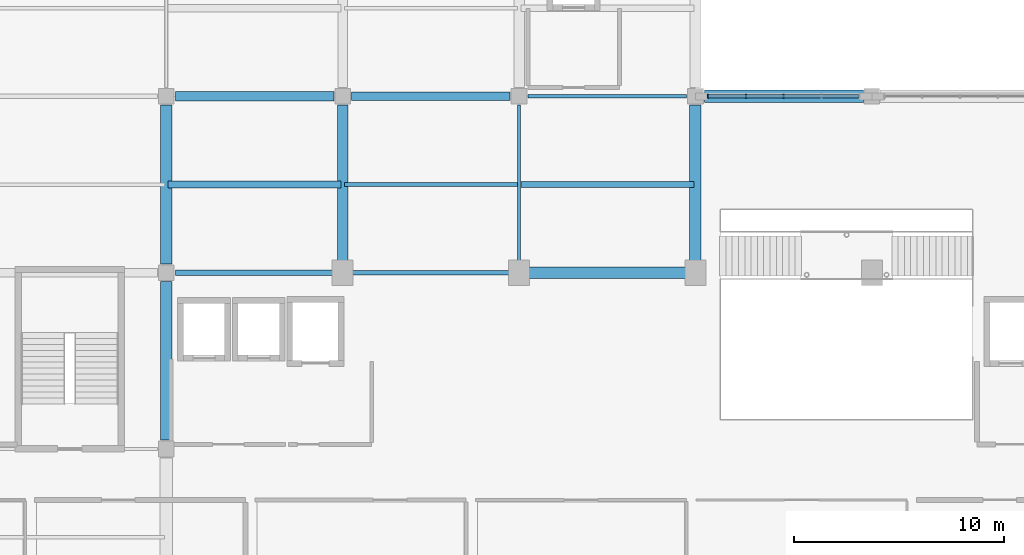
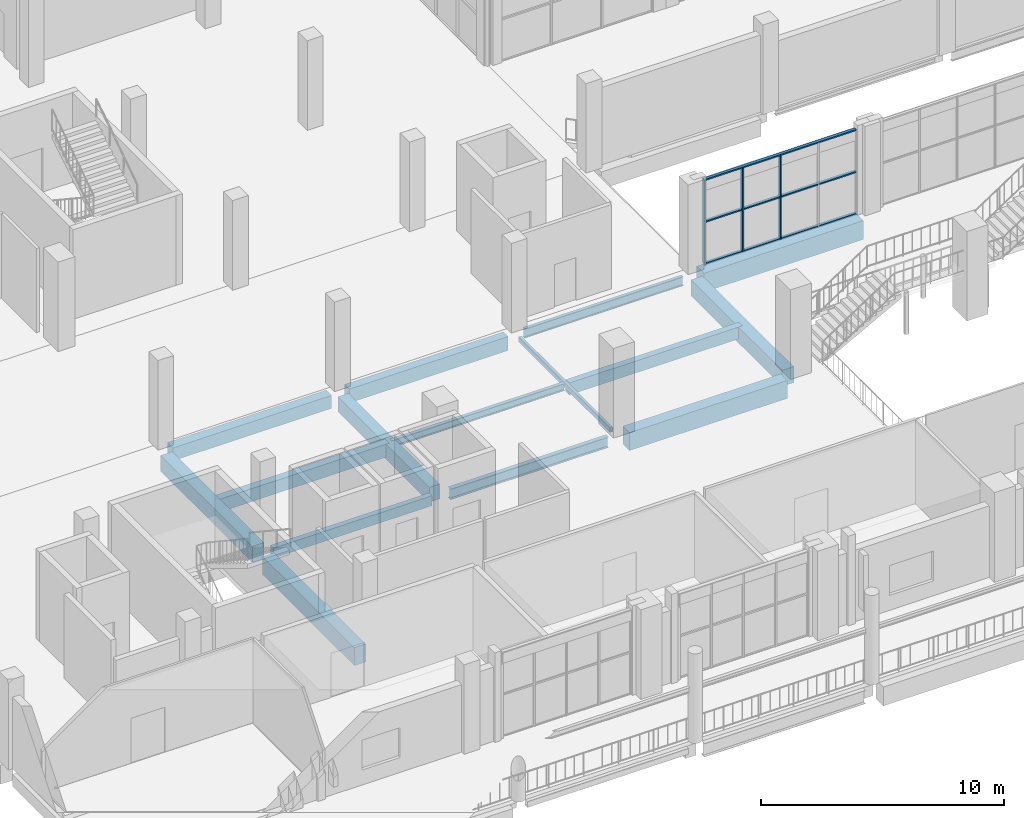
# One storey, part 18 of 75: 15 beams, 6 members, 1 element without a shape of its own.
"""IFC4 building model written with IfcOpenShell, lengths in metres."""

from ifc_helpers import new_model, si_unit, derived_unit, direction, frame, origin, origin_2d, place, context, subcontext, project, spatial, rectangle, hollow_rectangle, i_section, extrude, material, material_profile, profile_set, type_object, element, aggregate, save


model = new_model("IFC4")

# Units and contexts
model_context = context("Model", 3, precision=1e-05, world=origin(), true_north=direction((0.0, 1.0)))
body_context = subcontext(model_context, "Body", "Model", "MODEL_VIEW")
ifc_project = project(units=[si_unit("LENGTHUNIT", "METRE"), si_unit("AREAUNIT", "SQUARE_METRE"), si_unit("VOLUMEUNIT", "CUBIC_METRE"), si_unit("PLANEANGLEUNIT", "RADIAN"), si_unit("MASSUNIT", "GRAM", prefix="KILO"), derived_unit("THERMALTRANSMITTANCEUNIT", [(si_unit("POWERUNIT", "WATT"), 1), (si_unit("LENGTHUNIT", "METRE"), -2), (si_unit("THERMODYNAMICTEMPERATUREUNIT", "KELVIN"), -1)])], contexts=[model_context])

# Site, building, storey
site_placement = place(None, origin())
site = spatial("IfcSite", under=ifc_project, at=site_placement, CompositionType="ELEMENT")
building_placement = place(site_placement, origin())
building = spatial("IfcBuilding", under=site, at=building_placement, Name="Barrovel Congress Hotel", CompositionType="ELEMENT")
storey_placement = place(building_placement, frame((0.0, 0.0, 5.39990234375)))
storey = spatial("IfcBuildingStorey", under=building, at=storey_placement, Name="L01", CompositionType="ELEMENT", Elevation=5.39990234375)

# Beams
ifc_material_1 = material(Name="Concrete C40", Category="concrete")
ifc_material_profile_1 = material_profile(ifc_material_1, rectangle(XDim=0.25, YDim=0.5, at=origin_2d()), Name="RC250x500")
ifc_profile_set_1 = profile_set([ifc_material_profile_1], Name="Concrete C40")
beam_type_1 = type_object("IfcBeamType", Name="BM-RC250x500", PredefinedType="SPANDREL", material=ifc_profile_set_1)
beam_1_placement = place(storey_placement, frame((34.02490234375, 21.0, -0.510009765625), z_axis=(1.0, 0.0, 0.0), x_axis=(0.0, 1.0, 0.0)))
element("IfcBeam", 1, at=beam_1_placement, inside=storey, type_object=beam_type_1, Name="BMX:L01:21.0:33.6-42.0", PredefinedType="SPANDREL", context=body_context, shape_type="SweptSolid", body=[
    extrude(rectangle(XDim=0.25, YDim=0.5, at=origin_2d()), origin(), (0.0, 0.0, 1.0), 7.525146484375),
])
ifc_material_profile_2 = material_profile(ifc_material_1, rectangle(XDim=0.300048828125, YDim=0.60009765625, at=origin_2d()), Name="RC300x600")
ifc_profile_set_2 = profile_set([ifc_material_profile_2], Name="Concrete C40")
beam_type_2 = type_object("IfcBeamType", Name="BM-RC300x600", PredefinedType="JOIST", material=ifc_profile_set_2)
beam_2_placement = place(storey_placement, frame((50.47998046875, 25.199951171875, -0.559814453125), z_axis=(1.0, 0.0, 0.0), x_axis=(0.0, 1.0, 0.0)))
element("IfcBeam", 2, at=beam_2_placement, inside=storey, type_object=beam_type_2, Name="JST:L01:50.4:25.2", PredefinedType="JOIST", context=body_context, shape_type="SweptSolid", body=[
    extrude(rectangle(XDim=0.300048828125, YDim=0.60009765625, at=origin_2d()), origin(), (0.0, 0.0, 1.0), 8.239990234375),
])
ifc_material_profile_3 = material_profile(ifc_material_1, rectangle(XDim=0.35009765625, YDim=0.64990234375, at=origin_2d()), Name="RC350x650")
ifc_profile_set_3 = profile_set([ifc_material_profile_3], Name="Concrete C40")
beam_type_3 = type_object("IfcBeamType", Name="BM-RC350x650", PredefinedType="JOIST", material=ifc_profile_set_3)
beam_3_placement = place(storey_placement, frame((33.679931640625, 25.199951171875, -0.5849609375), z_axis=(1.0, 0.0, 0.0), x_axis=(0.0, 1.0, 0.0)))
element("IfcBeam", 3, at=beam_3_placement, inside=storey, type_object=beam_type_3, Name="JST:L01:33.6:25.2", PredefinedType="JOIST", context=body_context, shape_type="SweptSolid", body=[
    extrude(rectangle(XDim=0.35009765625, YDim=0.64990234375, at=origin_2d()), origin(), (0.0, 0.0, 1.0), 8.239990234375),
])
ifc_material_profile_4 = material_profile(ifc_material_1, rectangle(XDim=0.39990234375, YDim=0.699951171875, at=origin_2d()), Name="RC400x700")
ifc_profile_set_4 = profile_set([ifc_material_profile_4], Name="Concrete C40")
beam_type_4 = type_object("IfcBeamType", Name="BM-RC400x700", PredefinedType="BEAM", material=ifc_profile_set_4)
beam_4_placement = place(storey_placement, frame((42.425048828125, 29.39990234375, -0.60986328125), z_axis=(1.0, 0.0, 0.0), x_axis=(0.0, 1.0, 0.0)))
element("IfcBeam", 4, at=beam_4_placement, inside=storey, type_object=beam_type_4, Name="BMX:L01:29.4:42.0-50.4", PredefinedType="BEAM", context=body_context, shape_type="SweptSolid", body=[
    extrude(rectangle(XDim=0.39990234375, YDim=0.699951171875, at=origin_2d()), origin(), (0.0, 0.0, 1.0), 7.550048828125),
])
ifc_material_profile_5 = material_profile(ifc_material_1, rectangle(XDim=0.449951171875, YDim=0.64990234375, at=origin_2d()), Name="RC450x650")
ifc_profile_set_5 = profile_set([ifc_material_profile_5], Name="Concrete C40")
beam_type_5 = type_object("IfcBeamType", Name="BM-RC450x650", PredefinedType="BEAM", material=ifc_profile_set_5)
beam_5_placement = place(storey_placement, frame((34.02490234375, 29.39990234375, -0.5849609375), z_axis=(1.0, 0.0, 0.0), x_axis=(0.0, 1.0, 0.0)))
element("IfcBeam", 5, at=beam_5_placement, inside=storey, type_object=beam_type_5, Name="BMX:L01:29.4:33.6-42.0", PredefinedType="BEAM", context=body_context, shape_type="SweptSolid", body=[
    extrude(rectangle(XDim=0.449951171875, YDim=0.64990234375, at=origin_2d()), origin(), (0.0, 0.0, 1.0), 7.550048828125),
])
ifc_material_profile_6 = material_profile(ifc_material_1, rectangle(XDim=0.5, YDim=0.75, at=origin_2d()), Name="RC500x750")
ifc_profile_set_6 = profile_set([ifc_material_profile_6], Name="Concrete C40")
beam_type_6 = type_object("IfcBeamType", Name="BM-RC500x750", PredefinedType="BEAM", material=ifc_profile_set_6)
beam_6_placement = place(storey_placement, frame((42.0, 21.449951171875, -0.635009765625), z_axis=(0.0, 1.0, 0.0), x_axis=(-1.0, 0.0, 0.0)))
element("IfcBeam", 6, at=beam_6_placement, inside=storey, type_object=beam_type_6, Name="BMY:L01:42.0:21.0-29.4", PredefinedType="BEAM", context=body_context, shape_type="SweptSolid", body=[
    extrude(rectangle(XDim=0.5, YDim=0.75, at=origin_2d()), origin(), (0.0, 0.0, 1.0), 7.525146484375),
])
ifc_material_profile_7 = material_profile(ifc_material_1, rectangle(XDim=0.550048828125, YDim=0.800048828125, at=origin_2d()), Name="RC550x800")
ifc_profile_set_7 = profile_set([ifc_material_profile_7], Name="Concrete C40")
beam_type_7 = type_object("IfcBeamType", Name="BM-RC550x800", PredefinedType="BEAM", material=ifc_profile_set_7)
beam_7_placement = place(storey_placement, frame((33.60009765625, 21.425048828125, -0.659912109375), z_axis=(0.0, 1.0, 0.0), x_axis=(-1.0, 0.0, 0.0)))
element("IfcBeam", 7, at=beam_7_placement, inside=storey, type_object=beam_type_7, Name="BMY:L01:33.6:21.0-29.4", PredefinedType="BEAM", context=body_context, shape_type="SweptSolid", body=[
    extrude(rectangle(XDim=0.550048828125, YDim=0.800048828125, at=origin_2d()), origin(), (0.0, 0.0, 1.0), 7.550048828125),
])
beam_8_placement = place(storey_placement, frame((58.800048828125, 21.449951171875, -0.659912109375), z_axis=(0.0, 1.0, 0.0), x_axis=(-1.0, 0.0, 0.0)))
element("IfcBeam", 8, at=beam_8_placement, inside=storey, type_object=beam_type_7, Name="BMY:L01:58.8:21.0-29.4", PredefinedType="BEAM", context=body_context, shape_type="SweptSolid", body=[
    extrude(rectangle(XDim=0.550048828125, YDim=0.800048828125, at=origin_2d()), origin(), (0.0, 0.0, 1.0), 7.525146484375),
])
ifc_material_profile_8 = material_profile(ifc_material_1, rectangle(XDim=0.550048828125, YDim=0.89990234375, at=origin_2d()), Name="RC550x900")
ifc_profile_set_8 = profile_set([ifc_material_profile_8], Name="Concrete C40")
beam_type_8 = type_object("IfcBeamType", Name="BM-RC550x900", PredefinedType="BEAM", material=ifc_profile_set_8)
beam_9_placement = place(storey_placement, frame((50.85009765625, 21.0, -0.7099609375), z_axis=(1.0, 0.0, 0.0), x_axis=(0.0, 1.0, 0.0)))
element("IfcBeam", 9, at=beam_9_placement, inside=storey, type_object=beam_type_8, Name="BMX:L01:21.0:50.4-58.8", PredefinedType="BEAM", context=body_context, shape_type="SweptSolid", body=[
    extrude(rectangle(XDim=0.550048828125, YDim=0.89990234375, at=origin_2d()), origin(), (0.0, 0.0, 1.0), 7.5),
])
beam_10_placement = place(storey_placement, frame((33.60009765625, 13.02490234375, -0.7099609375), z_axis=(0.0, 1.0, 0.0), x_axis=(-1.0, 0.0, 0.0)))
element("IfcBeam", 10, at=beam_10_placement, inside=storey, type_object=beam_type_8, Name="BMY:L01:33.6:12.6-21.0", PredefinedType="BEAM", context=body_context, shape_type="SweptSolid", body=[
    extrude(rectangle(XDim=0.550048828125, YDim=0.89990234375, at=origin_2d()), origin(), (0.0, 0.0, 1.0), 7.550048828125),
])
ifc_material_profile_9 = material_profile(ifc_material_1, rectangle(XDim=0.60009765625, YDim=0.949951171875, at=origin_2d()), Name="RC600x950")
ifc_profile_set_9 = profile_set([ifc_material_profile_9], Name="Concrete C40")
beam_type_9 = type_object("IfcBeamType", Name="BM-RC600x950", PredefinedType="BEAM", material=ifc_profile_set_9)
beam_11_placement = place(storey_placement, frame((59.22509765625, 29.39990234375, -0.73486328125), z_axis=(1.0, 0.0, 0.0), x_axis=(0.0, 1.0, 0.0)))
element("IfcBeam", 11, at=beam_11_placement, inside=storey, type_object=beam_type_9, Name="BMX:L01:29.4:58.8-67.2", PredefinedType="BEAM", context=body_context, shape_type="SweptSolid", body=[
    extrude(rectangle(XDim=0.60009765625, YDim=0.949951171875, at=origin_2d()), origin(), (0.0, 0.0, 1.0), 7.574951171875),
])

# Curtain wall, members
ifc_material_2 = material(Name="Anodised Aluminium Alloy 6063-T6", Category="aluminium")
curtain_wall_type = type_object("IfcCurtainWallType", Name="CW-ST-7200x3900", PredefinedType="USERDEFINED", material=ifc_material_2)
curtain_wall_placement = place(storey_placement, origin())
curtain_wall = element("IfcCurtainWall", 12, at=curtain_wall_placement, inside=storey, type_object=curtain_wall_type, Name="CW:L01:CS:07", ObjectType="STICK CURTAIN WALL", PredefinedType="USERDEFINED")
ifc_material_profile_10 = material_profile(ifc_material_2, rectangle(XDim=0.06494140625, YDim=0.18994140625, at=origin_2d()), Name="AL-M65x190")
ifc_profile_set_10 = profile_set([ifc_material_profile_10], Name="Anodised Aluminium Alloy 6063-T6")
member_type_1 = type_object("IfcMemberType", Name="CWM-AL-M65x190", PredefinedType="MULLION", material=ifc_profile_set_10)
member_1_placement = place(storey_placement, frame((63.0, 29.39990234375, 0.0), z_axis=(0.0, 0.0, 1.0), x_axis=(1.0, 0.0, 0.0)))
member_1 = element("IfcMember", 13, at=member_1_placement, type_object=member_type_1, Name="CW:L01:CS:07:M2", PredefinedType="MULLION", context=body_context, shape_type="SweptSolid", body=[
    extrude(rectangle(XDim=0.06494140625, YDim=0.18994140625, at=origin_2d()), origin(), (0.0, 0.0, 1.0), 4.22021484375),
])
member_2_placement = place(storey_placement, frame((61.199951171875, 29.39990234375, 0.0), z_axis=(0.0, 0.0, 1.0), x_axis=(1.0, 0.0, 0.0)))
member_2 = element("IfcMember", 14, at=member_2_placement, type_object=member_type_1, Name="CW:L01:CS:07:M3", PredefinedType="MULLION", context=body_context, shape_type="SweptSolid", body=[
    extrude(rectangle(XDim=0.06494140625, YDim=0.18994140625, at=origin_2d()), origin(), (0.0, 0.0, 1.0), 4.22021484375),
])
member_3_placement = place(storey_placement, frame((59.39990234375, 29.39990234375, 0.0), z_axis=(0.0, 0.0, 1.0), x_axis=(1.0, 0.0, 0.0)))
member_3 = element("IfcMember", 15, at=member_3_placement, type_object=member_type_1, Name="CW:L01:CS:07:M4", PredefinedType="MULLION", context=body_context, shape_type="SweptSolid", body=[
    extrude(rectangle(XDim=0.06494140625, YDim=0.18994140625, at=origin_2d()), origin(), (0.0, 0.0, 1.0), 4.22021484375),
])
ifc_material_profile_11 = material_profile(ifc_material_2, rectangle(XDim=0.14990234375, YDim=0.06494140625, at=origin_2d()), Name="AL-T65x150")
ifc_profile_set_11 = profile_set([ifc_material_profile_11], Name="Anodised Aluminium Alloy 6063-T6")
member_type_2 = type_object("IfcMemberType", Name="CWT-AL-T65x150", PredefinedType="USERDEFINED", material=ifc_profile_set_11)
member_4_placement = place(storey_placement, frame((66.60009765625, 29.39990234375, 0.0), z_axis=(-1.0, 0.0, 0.0), x_axis=(0.0, -1.0, 0.0)))
member_4 = element("IfcMember", 16, at=member_4_placement, type_object=member_type_2, Name="CW:L01:CS:07:T0", ObjectType="TRANSOM", PredefinedType="USERDEFINED", context=body_context, shape_type="SweptSolid", body=[
    extrude(rectangle(XDim=0.14990234375, YDim=0.06494140625, at=origin_2d()), origin(), (0.0, 0.0, 1.0), 7.2001953125),
])
member_5_placement = place(storey_placement, frame((66.60009765625, 29.39990234375, 2.110107421875), z_axis=(-1.0, 0.0, 0.0), x_axis=(0.0, -1.0, 0.0)))
member_5 = element("IfcMember", 17, at=member_5_placement, type_object=member_type_2, Name="CW:L01:CS:07:T1", ObjectType="TRANSOM", PredefinedType="USERDEFINED", context=body_context, shape_type="SweptSolid", body=[
    extrude(rectangle(XDim=0.14990234375, YDim=0.06494140625, at=origin_2d()), origin(), (0.0, 0.0, 1.0), 7.2001953125),
])
member_6_placement = place(storey_placement, frame((66.60009765625, 29.39990234375, 4.22021484375), z_axis=(-1.0, 0.0, 0.0), x_axis=(0.0, -1.0, 0.0)))
member_6 = element("IfcMember", 18, at=member_6_placement, type_object=member_type_2, Name="CW:L01:CS:07:T2", ObjectType="TRANSOM", PredefinedType="USERDEFINED", context=body_context, shape_type="SweptSolid", body=[
    extrude(rectangle(XDim=0.14990234375, YDim=0.06494140625, at=origin_2d()), origin(), (0.0, 0.0, 1.0), 7.2001953125),
])
aggregate(curtain_wall, [member_1, member_2, member_3, member_4, member_5, member_6])

# Beams
ifc_material_3 = material(Name="Steel ASTM A500 Grade C", Category="steel")
ifc_material_profile_12 = material_profile(ifc_material_3, hollow_rectangle(XDim=0.15234375, YDim=0.25390625, WallThickness=0.0087890625, InnerFilletRadius=0.0087890625, OuterFilletRadius=0.017578125, at=origin_2d()), Name="HSS254x152x9.5")
ifc_profile_set_12 = profile_set([ifc_material_profile_12], Name="Steel ASTM A500 Grade C")
beam_type_10 = type_object("IfcBeamType", Name="SBM-HSS254x152x9.5", PredefinedType="SPANDREL", material=ifc_profile_set_12)
beam_12_placement = place(storey_placement, frame((50.39990234375, 21.449951171875, -0.386962890625), z_axis=(0.0, 1.0, 0.0), x_axis=(-1.0, 0.0, 0.0)))
element("IfcBeam", 19, at=beam_12_placement, inside=storey, type_object=beam_type_10, Name="BMY:L01:50.4:21.0-29.4", PredefinedType="SPANDREL", context=body_context, shape_type="SweptSolid", body=[
    extrude(hollow_rectangle(XDim=0.15234375, YDim=0.25390625, WallThickness=0.0087890625, InnerFilletRadius=0.0087890625, OuterFilletRadius=0.017578125, at=origin_2d()), origin(), (0.0, 0.0, 1.0), 7.525146484375),
])
ifc_material_4 = material(Name="Steel ASTM A992 Grade 50", Category="steel")
ifc_material_profile_13 = material_profile(ifc_material_4, i_section(OverallWidth=0.172119140625, OverallDepth=0.35791015625, WebThickness=0.0078125, FlangeThickness=0.01318359375, FilletRadius=0.011962890625, at=origin_2d()), Name="W360x57")
ifc_profile_set_13 = profile_set([ifc_material_profile_13], Name="Steel ASTM A992 Grade 50")
beam_type_11 = type_object("IfcBeamType", Name="SBM-W360x57", PredefinedType="JOIST", material=ifc_profile_set_13)
beam_13_placement = place(storey_placement, frame((42.080078125, 25.199951171875, -0.43896484375), z_axis=(1.0, 0.0, 0.0), x_axis=(0.0, 1.0, 0.0)))
element("IfcBeam", 20, at=beam_13_placement, inside=storey, type_object=beam_type_11, Name="JST:L01:42.0:25.2", PredefinedType="JOIST", context=body_context, shape_type="SweptSolid", body=[
    extrude(i_section(OverallWidth=0.172119140625, OverallDepth=0.35791015625, WebThickness=0.0078125, FlangeThickness=0.01318359375, FilletRadius=0.011962890625, at=origin_2d()), origin(), (0.0, 0.0, 1.0), 8.239990234375),
])
ifc_material_profile_14 = material_profile(ifc_material_4, i_section(OverallWidth=0.154052734375, OverallDepth=0.458984375, WebThickness=0.009033203125, FlangeThickness=0.015380859375, FilletRadius=0.012939453125, at=origin_2d()), Name="W460x68")
ifc_profile_set_14 = profile_set([ifc_material_profile_14], Name="Steel ASTM A992 Grade 50")
beam_type_12 = type_object("IfcBeamType", Name="SBM-W460x68", PredefinedType="BEAM", material=ifc_profile_set_14)
beam_14_placement = place(storey_placement, frame((50.824951171875, 29.39990234375, -0.489501953125), z_axis=(1.0, 0.0, 0.0), x_axis=(0.0, 1.0, 0.0)))
element("IfcBeam", 21, at=beam_14_placement, inside=storey, type_object=beam_type_12, Name="BMX:L01:29.4:50.4-58.8", PredefinedType="BEAM", context=body_context, shape_type="SweptSolid", body=[
    extrude(i_section(OverallWidth=0.154052734375, OverallDepth=0.458984375, WebThickness=0.009033203125, FlangeThickness=0.015380859375, FilletRadius=0.012939453125, at=origin_2d()), origin(), (0.0, 0.0, 1.0), 7.550048828125),
])
ifc_material_profile_15 = material_profile(ifc_material_4, i_section(OverallWidth=0.208984375, OverallDepth=0.529052734375, WebThickness=0.009765625, FlangeThickness=0.013671875, FilletRadius=0.013916015625, at=origin_2d()), Name="W530x74")
ifc_profile_set_15 = profile_set([ifc_material_profile_15], Name="Steel ASTM A992 Grade 50")
beam_type_13 = type_object("IfcBeamType", Name="SBM-W530x74", PredefinedType="BEAM", material=ifc_profile_set_15)
beam_15_placement = place(storey_placement, frame((42.449951171875, 21.0, -0.5244140625), z_axis=(1.0, 0.0, 0.0), x_axis=(0.0, 1.0, 0.0)))
element("IfcBeam", 22, at=beam_15_placement, inside=storey, type_object=beam_type_13, Name="BMX:L01:21.0:42.0-50.4", PredefinedType="BEAM", context=body_context, shape_type="SweptSolid", body=[
    extrude(i_section(OverallWidth=0.208984375, OverallDepth=0.529052734375, WebThickness=0.009765625, FlangeThickness=0.013671875, FilletRadius=0.013916015625, at=origin_2d()), origin(), (0.0, 0.0, 1.0), 7.5),
])

save(model, "model.ifc")
